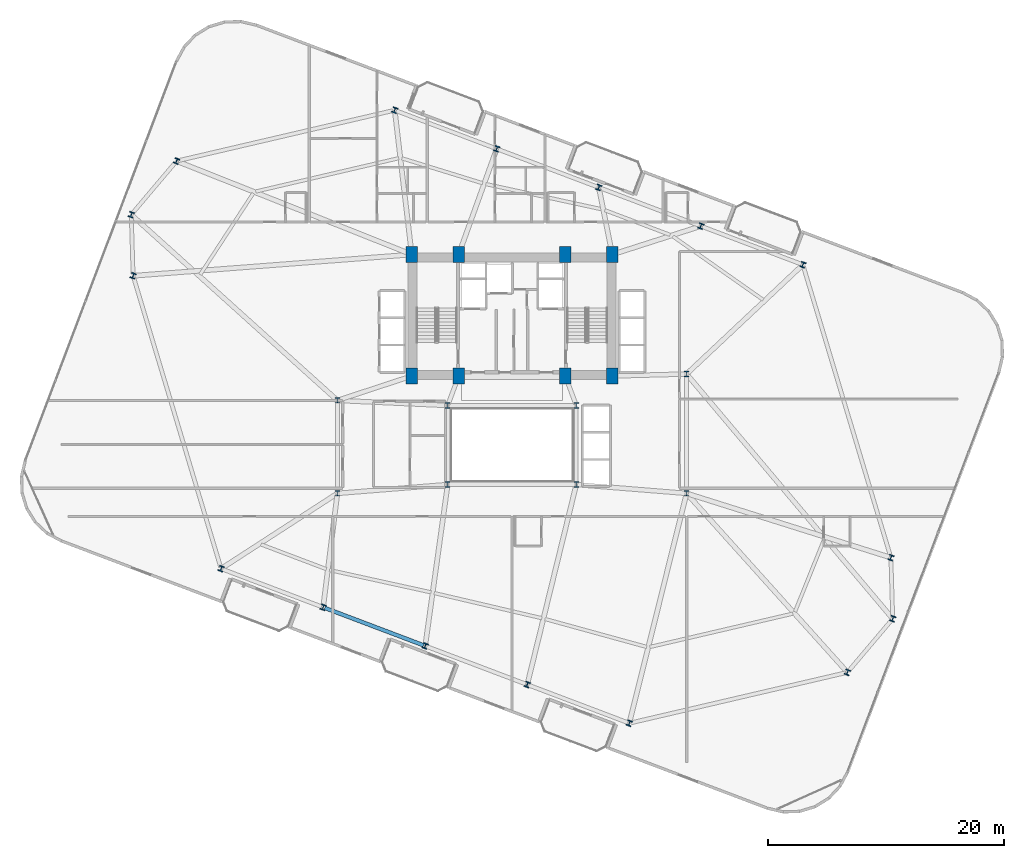
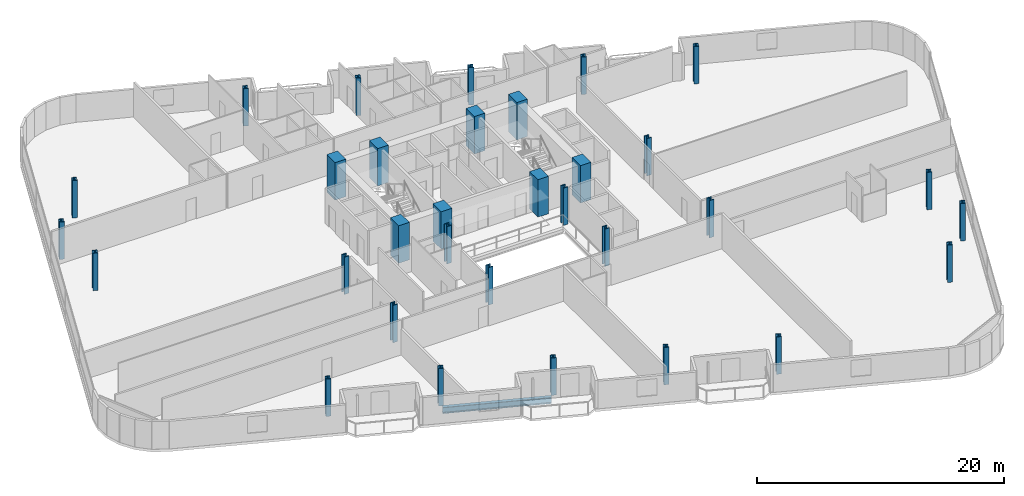
# One storey, part 1 of 25: 32 columns, 1 beam.
"""IFC4 building model written with IfcOpenShell, lengths in metres."""

from ifc_helpers import new_model, si_unit, direction, frame, origin, origin_2d, place, context, subcontext, project, spatial, rectangle, i_section, extrude, material, material_profile, profile_set, type_object, element, save


model = new_model("IFC4")

# Units and contexts
model_context = context("Model", 3, precision=1e-05, world=origin(), true_north=direction((0.0, 1.0)))
body_context = subcontext(model_context, "Body", "Model", "MODEL_VIEW")
ifc_project = project(units=[si_unit("LENGTHUNIT", "METRE"), si_unit("AREAUNIT", "SQUARE_METRE"), si_unit("VOLUMEUNIT", "CUBIC_METRE"), si_unit("PLANEANGLEUNIT", "RADIAN"), si_unit("MASSUNIT", "GRAM", prefix="KILO")], contexts=[model_context])

# Site, building, storey
site_placement = place(None, origin())
site = spatial("IfcSite", under=ifc_project, at=site_placement, CompositionType="ELEMENT")
building_placement = place(site_placement, origin())
building = spatial("IfcBuilding", under=site, at=building_placement, Name="Varnelok Gate Tower", CompositionType="ELEMENT")
storey_placement = place(building_placement, frame((0.0, 0.0, 105.800048828125)))
storey = spatial("IfcBuildingStorey", under=building, at=storey_placement, Name="L26", CompositionType="ELEMENT", Elevation=105.800048828125)

# Columns
ifc_material_1 = material(Name="Concrete C70/85", Category="concrete")
ifc_material_profile_1 = material_profile(ifc_material_1, rectangle(XDim=1.0, YDim=1.35009765625, at=origin_2d()), Name="RC1350X1000")
ifc_profile_set_1 = profile_set([ifc_material_profile_1], Name="Concrete C70/85")
column_type_1 = type_object("IfcColumnType", Name="COL-RC1350X1000", PredefinedType="COLUMN", material=ifc_profile_set_1)
for number, where, z_axis, x_axis, name in (
    (1, (30.699951171875, 28.75, 0.0), (0.0, 0.0, 1.0), (1.0, 0.0, 0.0), "L26 Core Spine Column SC1"),
    (2, (34.679931640625, 28.75, 0.0), (0.0, 0.0, 1.0), (1.0, 0.0, 0.0), "L26 Core Spine Column SC2"),
    (3, (43.719970703125, 28.75, 0.0), (0.0, 0.0, 1.0), (1.0, 0.0, 0.0), "L26 Core Spine Column SC3"),
    (4, (47.699951171875, 28.75, 0.0), (0.0, 0.0, 1.0), (1.0, 0.0, 0.0), "L26 Core Spine Column SC4"),
    (5, (30.699951171875, 39.050048828125, 0.0), (0.0, 0.0, 1.0), (1.0, 0.0, 0.0), "L26 Core Spine Column SC5"),
    (6, (34.679931640625, 39.050048828125, 0.0), (0.0, 0.0, 1.0), (1.0, 0.0, 0.0), "L26 Core Spine Column SC6"),
    (7, (43.719970703125, 39.050048828125, 0.0), (0.0, 0.0, 1.0), (1.0, 0.0, 0.0), "L26 Core Spine Column SC7"),
    (8, (47.699951171875, 39.050048828125, 0.0), (0.0, 0.0, 1.0), (1.0, 0.0, 0.0), "L26 Core Spine Column SC8"),
):
    element("IfcColumn", number, at=place(storey_placement, frame(where, z_axis=z_axis, x_axis=x_axis)), inside=storey, type_object=column_type_1, Name=name, PredefinedType="COLUMN", context=body_context, shape_type="SweptSolid", body=[
        extrude(rectangle(XDim=1.0, YDim=1.35009765625, at=origin_2d()), origin(), (0.0, 0.0, 1.0), 3.699951171875),
    ])
ifc_material_2 = material(Name="Structural Steel ASTM A992 Grade 50", Category="steel")
ifc_material_profile_2 = material_profile(ifc_material_2, i_section(OverallWidth=0.424072265625, OverallDepth=0.47412109375, WebThickness=0.047607421875, FlangeThickness=0.0771484375, FilletRadius=0.02490234375, at=origin_2d()), Name="W14X426")
ifc_profile_set_2 = profile_set([ifc_material_profile_2], Name="Structural Steel ASTM A992 Grade 50")
column_type_2 = type_object("IfcColumnType", Name="COL-W14X426", PredefinedType="COLUMN", material=ifc_profile_set_2)
for number, where, z_axis, x_axis, name in (
    (9, (33.75, 19.550048828125, 0.0), (0.0, 0.0, 1.0), (1.0, 0.0, 0.0), "L26 Atrium Spine Column AC1"),
    (10, (44.64990234375, 19.550048828125, 0.0), (0.0, 0.0, 1.0), (1.0, 0.0, 0.0), "L26 Atrium Spine Column AC2"),
    (11, (33.75, 26.25, 0.0), (0.0, 0.0, 1.0), (1.0, 0.0, 0.0), "L26 Atrium Spine Column AC3"),
    (12, (44.64990234375, 26.25, 0.0), (0.0, 0.0, 1.0), (1.0, 0.0, 0.0), "L26 Atrium Spine Column AC4"),
    (13, (24.39990234375, 18.800048828125, 0.0), (0.0, 0.0, 1.0), (1.0, 0.0, 0.0), "L26 Wing Spine Column WS1"),
    (14, (24.39990234375, 26.679931640625, 0.0), (0.0, 0.0, 1.0), (1.0, 0.0, 0.0), "L26 Wing Spine Column WS2"),
    (15, (54.0, 18.800048828125, 0.0), (0.0, 0.0, 1.0), (1.0, 0.0, 0.0), "L26 Wing Spine Column ES1"),
    (16, (54.0, 28.919921875, 0.0), (0.0, 0.0, 1.0), (1.0, 0.0, 0.0), "L26 Wing Spine Column ES2"),
    (17, (14.541015625, 12.416259765625, 0.0), (0.0, 0.0, 1.0), (0.935221751401, -0.354062530786, 0.0), "L26 B2 Perimeter Column PC01"),
    (18, (23.19189453125, 9.14111328125, 0.0), (0.0, 0.0, 1.0), (0.935221751401, -0.354062530786, 0.0), "L26 B2 Perimeter Column PC02"),
    (19, (31.842529296875, 5.8662109375, 0.0), (0.0, 0.0, 1.0), (0.935221751401, -0.354062530786, 0.0), "L26 B2 Perimeter Column PC03"),
    (20, (40.493408203125, 2.591064453125, 0.0), (0.0, 0.0, 1.0), (0.935221751401, -0.354062530786, 0.0), "L26 B2 Perimeter Column PC04"),
    (21, (49.144287109375, -0.68408203125, 0.0), (0.0, 0.0, 1.0), (0.935221751401, -0.354062530786, 0.0), "L26 B2 Perimeter Column PC05"),
    (22, (67.63671875, 3.627685546875, 0.0), (0.0, 0.0, 1.0), (0.935221751401, -0.354062530786, 0.0), "L26 B2 Perimeter Column PC06"),
    (23, (71.4765625, 8.172607421875, 0.0), (0.0, 0.0, 1.0), (0.935221751401, -0.354062530786, 0.0), "L26 B2 Perimeter Column PC07"),
    (24, (71.319091796875, 13.35400390625, 0.0), (0.0, 0.0, 1.0), (0.935221751401, -0.354062530786, 0.0), "L26 B2 Perimeter Column PC08"),
    (25, (63.85888671875, 38.183837890625, 0.0), (0.0, 0.0, 1.0), (0.935221751401, -0.354062530786, 0.0), "L26 B2 Perimeter Column PC09"),
    (26, (55.208251953125, 41.458740234375, 0.0), (0.0, 0.0, 1.0), (0.935221751401, -0.354062530786, 0.0), "L26 B2 Perimeter Column PC10"),
    (27, (46.557373046875, 44.73388671875, 0.0), (0.0, 0.0, 1.0), (0.935221751401, -0.354062530786, 0.0), "L26 B2 Perimeter Column PC11"),
    (28, (37.906494140625, 48.009033203125, 0.0), (0.0, 0.0, 1.0), (0.935221751401, -0.354062530786, 0.0), "L26 B2 Perimeter Column PC12"),
    (29, (29.255859375, 51.2841796875, 0.0), (0.0, 0.0, 1.0), (0.935221751401, -0.354062530786, 0.0), "L26 B2 Perimeter Column PC13"),
    (30, (10.76318359375, 46.972412109375, 0.0), (0.0, 0.0, 1.0), (0.935221751401, -0.354062530786, 0.0), "L26 B2 Perimeter Column PC14"),
    (31, (6.92333984375, 42.427490234375, 0.0), (0.0, 0.0, 1.0), (0.935221751401, -0.354062530786, 0.0), "L26 B2 Perimeter Column PC15"),
    (32, (7.0810546875, 37.24609375, 0.0), (0.0, 0.0, 1.0), (0.935221751401, -0.354062530786, 0.0), "L26 B2 Perimeter Column PC16"),
):
    element("IfcColumn", number, at=place(storey_placement, frame(where, z_axis=z_axis, x_axis=x_axis)), inside=storey, type_object=column_type_2, Name=name, PredefinedType="COLUMN", context=body_context, shape_type="SweptSolid", body=[
        extrude(i_section(OverallWidth=0.424072265625, OverallDepth=0.47412109375, WebThickness=0.047607421875, FlangeThickness=0.0771484375, FilletRadius=0.02490234375, at=origin_2d()), origin(), (0.0, 0.0, 1.0), 3.699951171875),
    ])

# Beam
ifc_material_profile_3 = material_profile(ifc_material_2, i_section(OverallWidth=0.323974609375, OverallDepth=0.611083984375, WebThickness=0.0126953125, FlangeThickness=0.01904296875, FilletRadius=0.01806640625, at=origin_2d()), Name="W24X104")
ifc_profile_set_3 = profile_set([ifc_material_profile_3], Name="Structural Steel ASTM A992 Grade 50")
beam_type = type_object("IfcBeamType", Name="BM-SPN-W24X104", PredefinedType="SPANDREL", material=ifc_profile_set_3)
beam_placement = place(storey_placement, frame((23.33203125, 9.088134765625, -0.5556640625), z_axis=(0.935220356141, -0.354066216208, 0.0), x_axis=(0.354066216208, 0.935220356141, 0.0)))
element("IfcBeam", 33, at=beam_placement, inside=storey, type_object=beam_type, Name="L26 Perimeter Spandrel Beam 2", PredefinedType="SPANDREL", context=body_context, shape_type="SweptSolid", body=[
    extrude(i_section(OverallWidth=0.323974609375, OverallDepth=0.611083984375, WebThickness=0.0126953125, FlangeThickness=0.01904296875, FilletRadius=0.01806640625, at=origin_2d()), origin(), (0.0, 0.0, 1.0), 8.9501953125),
])

save(model, "model.ifc")
